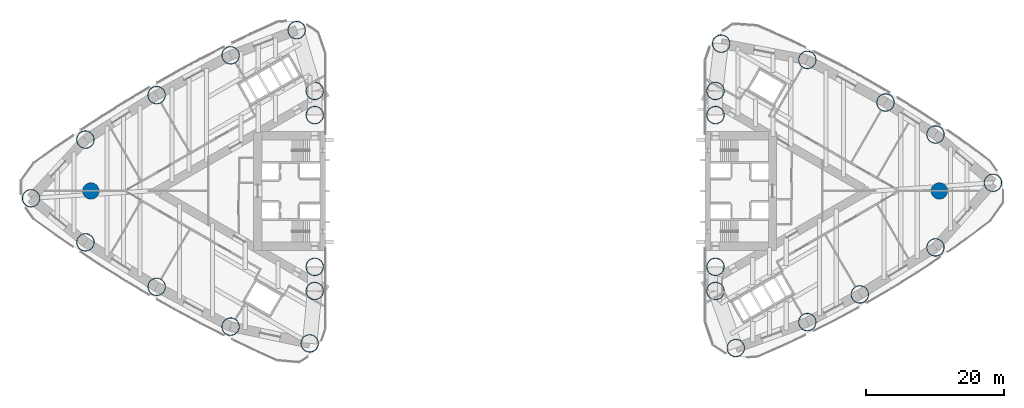
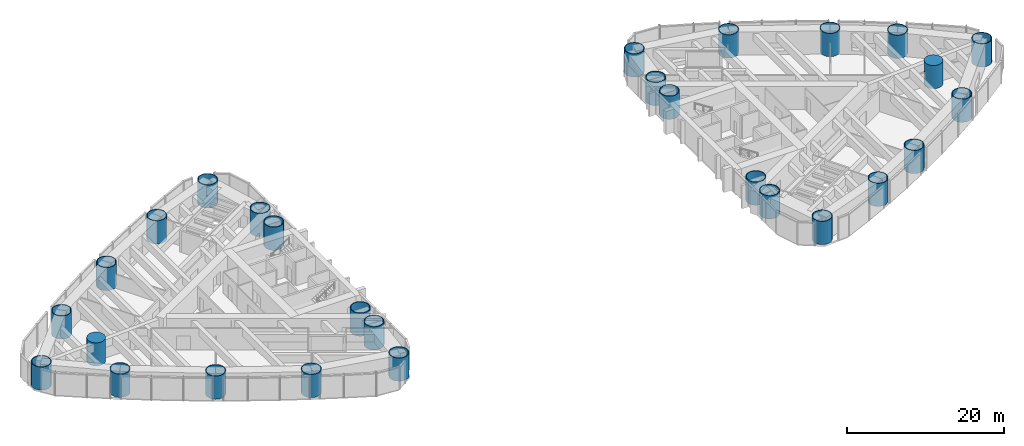
# One storey, part 1 of 16: 28 columns.
"""IFC4 building model written with IfcOpenShell, lengths in metres."""

from ifc_helpers import new_model, si_unit, direction, frame, origin, origin_2d, place, context, subcontext, project, spatial, circle, hollow_circle, extrude, material, material_profile, profile_set, type_object, element, save


model = new_model("IFC4")

# Units and contexts
model_context = context("Model", 3, precision=1e-05, world=origin(), true_north=direction((0.0, 1.0)))
body_context = subcontext(model_context, "Body", "Model", "MODEL_VIEW")
ifc_project = project(units=[si_unit("LENGTHUNIT", "METRE"), si_unit("AREAUNIT", "SQUARE_METRE"), si_unit("VOLUMEUNIT", "CUBIC_METRE"), si_unit("PLANEANGLEUNIT", "RADIAN"), si_unit("MASSUNIT", "GRAM", prefix="KILO")], contexts=[model_context])

# Site, building, storey
site_placement = place(None, origin())
site = spatial("IfcSite", under=ifc_project, at=site_placement, CompositionType="ELEMENT")
building_placement = place(site_placement, origin())
building = spatial("IfcBuilding", under=site, at=building_placement, Name="Lancet Gate Hotel", CompositionType="ELEMENT")
storey_placement = place(building_placement, frame((0.0, 0.0, 143.10009765625)))
storey = spatial("IfcBuildingStorey", under=building, at=storey_placement, Name="L38", CompositionType="ELEMENT", Elevation=143.10009765625)

# Columns
ifc_material_1 = material(Name="Concrete C80/95", Category="concrete")
ifc_material_profile_1 = material_profile(ifc_material_1, circle(Radius=1.199951171875, at=origin_2d()), Name="RC D2400")
ifc_profile_set_1 = profile_set([ifc_material_profile_1], Name="Concrete C80/95")
column_type_1 = type_object("IfcColumnType", Name="Apex column RC D2400", PredefinedType="COLUMN", material=ifc_profile_set_1)
for number, where, z_axis, x_axis, name in (
    (1, (-61.5, 0.0, 0.0), (0.0, 0.0, 1.0), (1.0, 0.0, 0.0), "T1 column AX L38"),
    (2, (61.5, 0.0, 0.0), (0.0, 0.0, 1.0), (1.0, 0.0, 0.0), "T2 column AX L38"),
):
    element("IfcColumn", number, at=place(storey_placement, frame(where, z_axis=z_axis, x_axis=x_axis)), inside=storey, type_object=column_type_1, Name=name, PredefinedType="COLUMN", context=body_context, shape_type="SweptSolid", body=[
        extrude(circle(Radius=1.199951171875, at=origin_2d()), origin(), (0.0, 0.0, 1.0), 3.599853515625),
    ])
ifc_material_2 = material(Name="Composite filled tube, grade 460 plate, grade 80/95 fill", Category="composite")
ifc_material_profile_2 = material_profile(ifc_material_2, hollow_circle(Radius=1.300048828125, WallThickness=0.10009765625, at=origin_2d()), Name="CHS 2600x100")
ifc_profile_set_2 = profile_set([ifc_material_profile_2], Name="Composite filled tube, grade 460 plate, grade 80/95 fill")
column_type_2 = type_object("IfcColumnType", Name="Apex corner column CFT CHS 2600x100", PredefinedType="COLUMN", material=ifc_profile_set_2)
for number, where, z_axis, x_axis, name in (
    (3, (-70.16796875, -1.06005859375, 0.0), (0.0, 0.0, 1.0), (1.0, 0.0, 0.0), "T1 column CA L38"),
    (4, (69.268798828125, 1.1865234375, 0.0), (0.0, 0.0, 1.0), (1.0, 0.0, 0.0), "T2 column CA L38"),
):
    element("IfcColumn", number, at=place(storey_placement, frame(where, z_axis=z_axis, x_axis=x_axis)), inside=storey, type_object=column_type_2, Name=name, PredefinedType="COLUMN", context=body_context, shape_type="SweptSolid", body=[
        extrude(hollow_circle(Radius=1.300048828125, WallThickness=0.10009765625, at=origin_2d()), origin(), (0.0, 0.0, 1.0), 3.599853515625),
    ])
ifc_material_3 = material(Name="Composite filled tube, grade 460 plate, grade 80/95 fill", Category="composite")
ifc_material_profile_3 = material_profile(ifc_material_3, hollow_circle(Radius=1.300048828125, WallThickness=0.10009765625, at=origin_2d()), Name="CHS 2600x100")
ifc_profile_set_3 = profile_set([ifc_material_profile_3], Name="Composite filled tube, grade 460 plate, grade 80/95 fill")
column_type_3 = type_object("IfcColumnType", Name="Perimeter column CFT CHS 2600x100", PredefinedType="COLUMN", material=ifc_profile_set_3)
for number, where, z_axis, x_axis, name in (
    (5, (-29.781005859375, -22.0947265625, 0.0), (0.0, 0.0, 1.0), (1.0, 0.0, 0.0), "T1 column CN L38"),
    (6, (-31.66455078125, 23.318359375, 0.0), (0.0, 0.0, 1.0), (1.0, 0.0, 0.0), "T1 column CS L38"),
    (7, (-29.050048828125, -11.0, 0.0), (0.0, 0.0, 1.0), (1.0, 0.0, 0.0), "T1 column IN L38"),
    (8, (-29.050048828125, 11.0, 0.0), (0.0, 0.0, 1.0), (1.0, 0.0, 0.0), "T1 column IS L38"),
    (9, (-29.050048828125, 14.5, 0.0), (0.0, 0.0, 1.0), (1.0, 0.0, 0.0), "T1 column IT L38"),
    (10, (-29.050048828125, -14.5, 0.0), (0.0, 0.0, 1.0), (1.0, 0.0, 0.0), "T1 column JT L38"),
    (11, (-62.28662109375, -7.444580078125, 0.0), (0.0, 0.0, 1.0), (1.0, 0.0, 0.0), "T1 column ON1 L38"),
    (12, (-51.963134765625, -13.89501953125, 0.0), (0.0, 0.0, 1.0), (1.0, 0.0, 0.0), "T1 column ON2 L38"),
    (13, (-41.244873046875, -19.665771484375, 0.0), (0.0, 0.0, 1.0), (1.0, 0.0, 0.0), "T1 column ON3 L38"),
    (14, (-41.244873046875, 19.665771484375, 0.0), (0.0, 0.0, 1.0), (1.0, 0.0, 0.0), "T1 column OS1 L38"),
    (15, (-51.963134765625, 13.89501953125, 0.0), (0.0, 0.0, 1.0), (1.0, 0.0, 0.0), "T1 column OS2 L38"),
    (16, (-62.28662109375, 7.444580078125, 0.0), (0.0, 0.0, 1.0), (1.0, 0.0, 0.0), "T1 column OS3 L38"),
    (17, (29.8720703125, 21.35498046875, 0.0), (0.0, 0.0, 1.0), (1.0, 0.0, 0.0), "T2 column CN L38"),
    (18, (31.99609375, -22.76318359375, 0.0), (0.0, 0.0, 1.0), (1.0, 0.0, 0.0), "T2 column CS L38"),
    (19, (29.050048828125, 11.0, 0.0), (0.0, 0.0, 1.0), (1.0, 0.0, 0.0), "T2 column IN L38"),
    (20, (29.050048828125, -11.0, 0.0), (0.0, 0.0, 1.0), (1.0, 0.0, 0.0), "T2 column IS L38"),
    (21, (29.050048828125, -14.5, 0.0), (0.0, 0.0, 1.0), (1.0, 0.0, 0.0), "T2 column IT L38"),
    (22, (29.050048828125, 14.5, 0.0), (0.0, 0.0, 1.0), (1.0, 0.0, 0.0), "T2 column JT L38"),
    (23, (60.940673828125, 8.18115234375, 0.0), (0.0, 0.0, 1.0), (1.0, 0.0, 0.0), "T2 column ON1 L38"),
    (24, (53.697021484375, 12.827392578125, 0.0), (0.0, 0.0, 1.0), (1.0, 0.0, 0.0), "T2 column ON2 L38"),
    (25, (42.3662109375, 19.007080078125, 0.0), (0.0, 0.0, 1.0), (1.0, 0.0, 0.0), "T2 column ON3 L38"),
    (26, (42.3662109375, -19.007080078125, 0.0), (0.0, 0.0, 1.0), (1.0, 0.0, 0.0), "T2 column OS1 L38"),
    (27, (49.97900390625, -14.994384765625, 0.0), (0.0, 0.0, 1.0), (1.0, 0.0, 0.0), "T2 column OS2 L38"),
    (28, (60.940673828125, -8.18115234375, 0.0), (0.0, 0.0, 1.0), (1.0, 0.0, 0.0), "T2 column OS3 L38"),
):
    element("IfcColumn", number, at=place(storey_placement, frame(where, z_axis=z_axis, x_axis=x_axis)), inside=storey, type_object=column_type_3, Name=name, PredefinedType="COLUMN", context=body_context, shape_type="SweptSolid", body=[
        extrude(hollow_circle(Radius=1.300048828125, WallThickness=0.10009765625, at=origin_2d()), origin(), (0.0, 0.0, 1.0), 3.599853515625),
    ])

save(model, "model.ifc")
